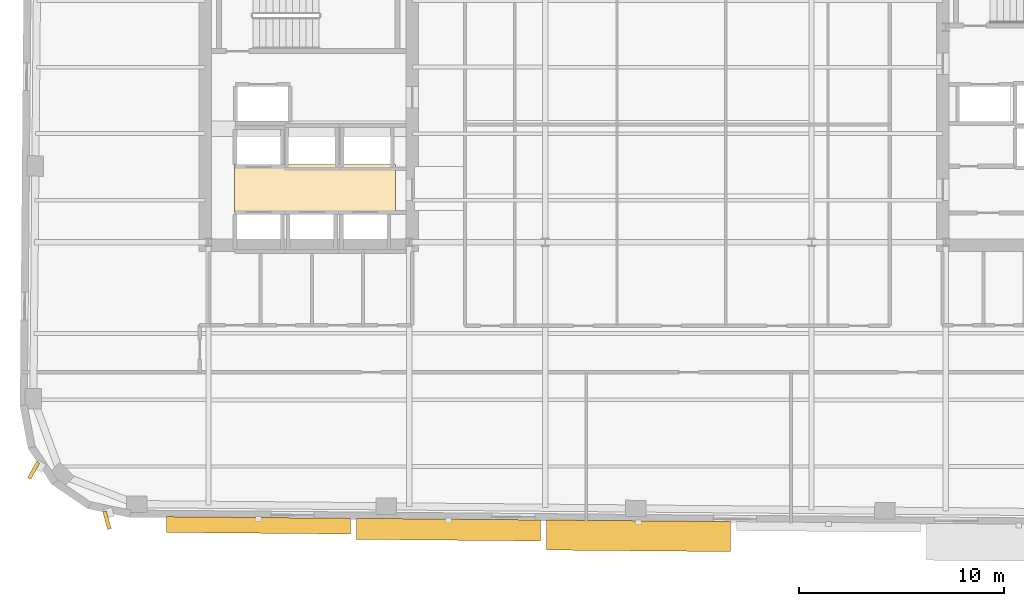
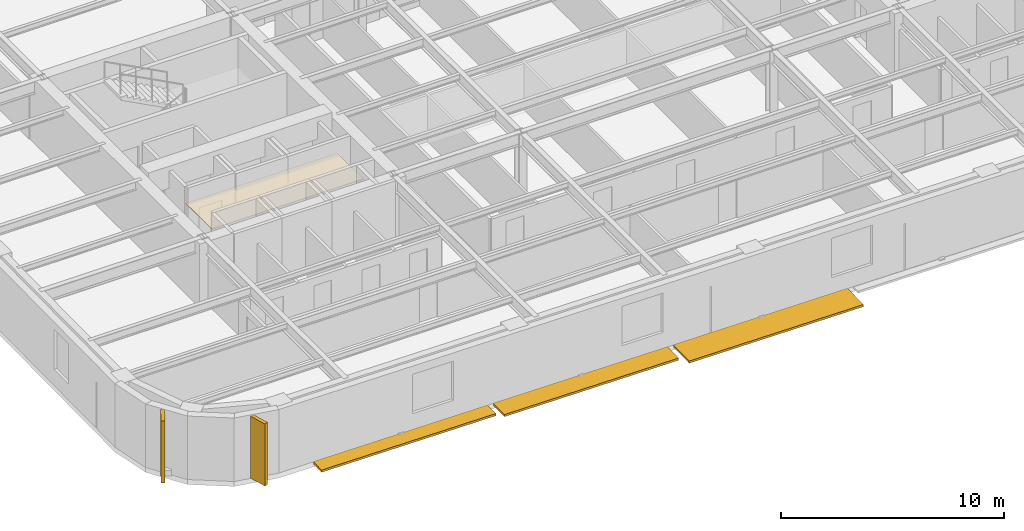
# One storey, part 8 of 12: 5 shading devices, 1 covering.
"""IFC4 building model written with IfcOpenShell, lengths in metres."""

from ifc_helpers import new_model, si_unit, direction, frame, origin, origin_2d, place, context, subcontext, project, spatial, polyline, rectangle, outline, extrude, material, layer, layer_set, type_object, element, save


model = new_model("IFC4")

# Units and contexts
model_context = context("Model", 3, precision=1e-05, world=origin(), true_north=direction((0.0, 1.0)))
body_context = subcontext(model_context, "Body", "Model", "MODEL_VIEW")
ifc_project = project(units=[si_unit("LENGTHUNIT", "METRE"), si_unit("AREAUNIT", "SQUARE_METRE"), si_unit("VOLUMEUNIT", "CUBIC_METRE"), si_unit("PLANEANGLEUNIT", "RADIAN"), si_unit("MASSUNIT", "GRAM", prefix="KILO")], contexts=[model_context])

# Site, building, storey
site_placement = place(None, origin())
site = spatial("IfcSite", under=ifc_project, at=site_placement, CompositionType="ELEMENT")
building_placement = place(site_placement, origin())
building = spatial("IfcBuilding", under=site, at=building_placement, Name="Kolvaren Arena Tower", CompositionType="ELEMENT")
storey_placement = place(building_placement, frame((0.0, 0.0, 165.949951171875)))
storey = spatial("IfcBuildingStorey", under=building, at=storey_placement, Name="L39", CompositionType="ELEMENT", Elevation=165.949951171875)

# Covering
ifc_material_1 = material(Name="Moisture-resistant gypsum ceiling", Category="gypsum")
ifc_layer = layer(ifc_material_1, 0.030029296875)
ifc_layer_set = layer_set([ifc_layer], Name="Moisture-resistant gypsum ceiling")
covering_type = type_object("IfcCoveringType", Name="CEIL-GYP-1", PredefinedType="CEILING", material=ifc_layer_set)
covering_placement = place(storey_placement, frame((0.0, 0.0, 2.52001953125)))
element("IfcCovering", 1, at=covering_placement, inside=storey, type_object=covering_type, Name="Suspended Ceiling (L39)", PredefinedType="CEILING", context=body_context, shape_type="SweptSolid", body=[
    extrude(outline(polyline([(15.820068359375, 20.89990234375), (15.820068359375, 23.239990234375), (23.679931640625, 23.239990234375), (23.679931640625, 20.89990234375), (15.820068359375, 20.89990234375)])), origin(), (0.0, 0.0, 1.0), 0.030029296875),
])

# Shading devices
ifc_material_2 = material(Name="Precast architectural concrete C50/60 rib fin", Category="concrete")
shading_device_type_1 = type_object("IfcShadingDeviceType", Name="SHAD-FIN-28", PredefinedType="USERDEFINED", material=ifc_material_2)
for number, where, z_axis, x_axis, name in (
    (2, (6.018798828125, 8.31494140625, 0.02001953125), (0.0, 0.0, 1.0), (-0.480994889615, -0.876723397751, 0.0), "Precast 28-Deg Corner Rib Fin (L39)"),
    (3, (9.597412109375, 5.87841796875, 0.02001953125), (0.0, 0.0, 1.0), (0.279812257957, -0.960054738177, 0.0), "Precast 28-Deg Corner Rib Fin (L39)"),
):
    element("IfcShadingDevice", number, at=place(storey_placement, frame(where, z_axis=z_axis, x_axis=x_axis)), inside=storey, type_object=shading_device_type_1, Name=name, ObjectType="FIN", PredefinedType="USERDEFINED", context=body_context, shape_type="SweptSolid", body=[
        extrude(rectangle(XDim=0.89990234375, YDim=0.179931640625, at=origin_2d()), origin(), (0.0, 0.0, 1.0), 3.39990234375),
    ])
ifc_material_3 = material(Name="Architectural precast GFRC and anodised aluminium sunshade", Category="concrete")
shading_device_type_2 = type_object("IfcShadingDeviceType", Name="SHAD-SINE-A", PredefinedType="USERDEFINED", material=ifc_material_3)
shading_device_1_placement = place(storey_placement, frame((26.267333984375, 5.417236328125, -0.139892578125), z_axis=(0.0, 0.0, 1.0), x_axis=(-0.999961923064, 0.008726535498, 0.0)))
element("IfcShadingDevice", 4, at=shading_device_1_placement, inside=storey, type_object=shading_device_type_2, Name="Sinusoidal Slab-Edge Sunshade Louvre (L39)", ObjectType="LOUVRE", PredefinedType="USERDEFINED", context=body_context, shape_type="SweptSolid", body=[
    extrude(rectangle(XDim=8.97998046875, YDim=1.026611328125, at=origin_2d()), origin(), (0.0, 0.0, 1.0), 0.1201171875),
])
shading_device_2_placement = place(storey_placement, frame((16.98876953125, 5.627197265625, -0.139892578125), z_axis=(0.0, 0.0, 1.0), x_axis=(-0.999961923064, 0.008726535498, 0.0)))
element("IfcShadingDevice", 5, at=shading_device_2_placement, inside=storey, type_object=shading_device_type_2, Name="Sinusoidal Slab-Edge Sunshade Louvre (L39)", ObjectType="LOUVRE", PredefinedType="USERDEFINED", context=body_context, shape_type="SweptSolid", body=[
    extrude(rectangle(XDim=8.97998046875, YDim=0.768798828125, at=origin_2d()), origin(), (0.0, 0.0, 1.0), 0.1201171875),
])
shading_device_type_3 = type_object("IfcShadingDeviceType", Name="SHAD-SINE-B", PredefinedType="JALOUSIE", material=ifc_material_3)
shading_device_3_placement = place(storey_placement, frame((35.545166015625, 5.11669921875, -0.139892578125), z_axis=(0.0, 0.0, 1.0), x_axis=(-0.999961923064, 0.008726535498, 0.0)))
element("IfcShadingDevice", 6, at=shading_device_3_placement, inside=storey, type_object=shading_device_type_3, Name="Sinusoidal Slab-Edge Sunshade Louvre (L39)", PredefinedType="JALOUSIE", context=body_context, shape_type="SweptSolid", body=[
    extrude(rectangle(XDim=8.97998046875, YDim=1.4658203125, at=origin_2d()), origin(), (0.0, 0.0, 1.0), 0.1201171875),
])

save(model, "model.ifc")
